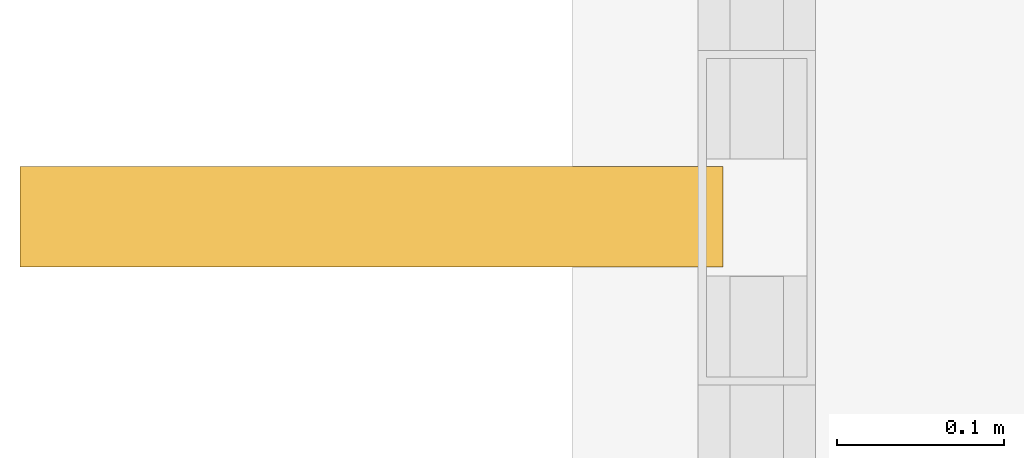
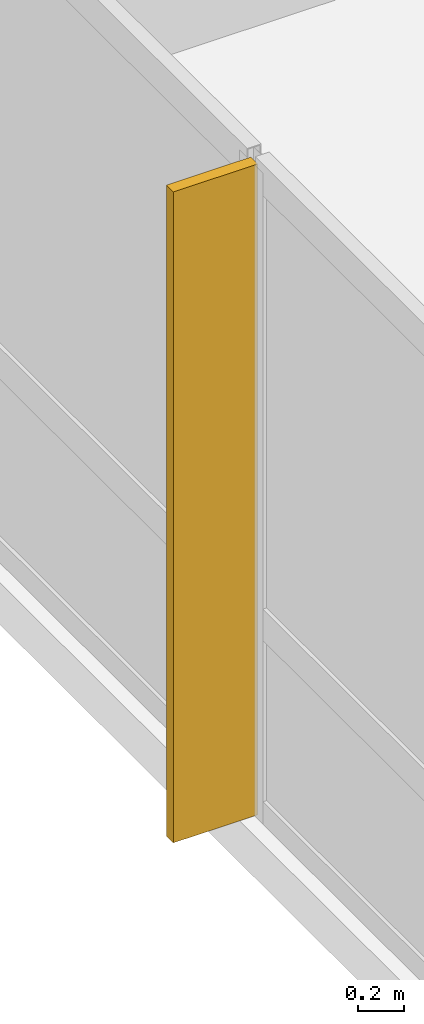
# One storey, part 25 of 25: 1 shading device.
"""IFC4 building model written with IfcOpenShell, lengths in metres."""

from ifc_helpers import new_model, si_unit, direction, frame, origin, origin_2d, place, context, subcontext, project, spatial, rectangle, extrude, material, type_object, element, save


model = new_model("IFC4")

# Units and contexts
model_context = context("Model", 3, precision=1e-05, world=origin(), true_north=direction((0.0, 1.0)))
body_context = subcontext(model_context, "Body", "Model", "MODEL_VIEW")
ifc_project = project(units=[si_unit("LENGTHUNIT", "METRE"), si_unit("AREAUNIT", "SQUARE_METRE"), si_unit("VOLUMEUNIT", "CUBIC_METRE"), si_unit("PLANEANGLEUNIT", "RADIAN"), si_unit("MASSUNIT", "GRAM", prefix="KILO")], contexts=[model_context])

# Site, building, storey
site_placement = place(None, origin())
site = spatial("IfcSite", under=ifc_project, at=site_placement, CompositionType="ELEMENT")
building_placement = place(site_placement, origin())
building = spatial("IfcBuilding", under=site, at=building_placement, Name="Khamvora Tower", CompositionType="ELEMENT")
storey_placement = place(building_placement, frame((0.0, 0.0, 36.949951171875)))
storey = spatial("IfcBuildingStorey", under=building, at=storey_placement, Name="L08", CompositionType="ELEMENT", Elevation=36.949951171875)

# Shading device
ifc_material = material(Name="Anodised Bronze Aluminium 6063-T6", Category="aluminium")
shading_device_type = type_object("IfcShadingDeviceType", Name="SHD-FIN-420", PredefinedType="USERDEFINED", material=ifc_material)
shading_device_placement = place(storey_placement, frame((3.8798828125, 40.02490234375, 0.0), z_axis=(0.0, 0.0, 1.0), x_axis=(0.0, 1.0, 0.0)))
element("IfcShadingDevice", 1, at=shading_device_placement, inside=storey, type_object=shading_device_type, Name="L08 anodised bronze solar fin 05.01", ObjectType="FIN", PredefinedType="USERDEFINED", context=body_context, shape_type="SweptSolid", body=[
    extrude(rectangle(XDim=0.06005859375, YDim=0.419921875, at=origin_2d()), origin(), (0.0, 0.0, 1.0), 3.429931640625),
])

save(model, "model.ifc")
